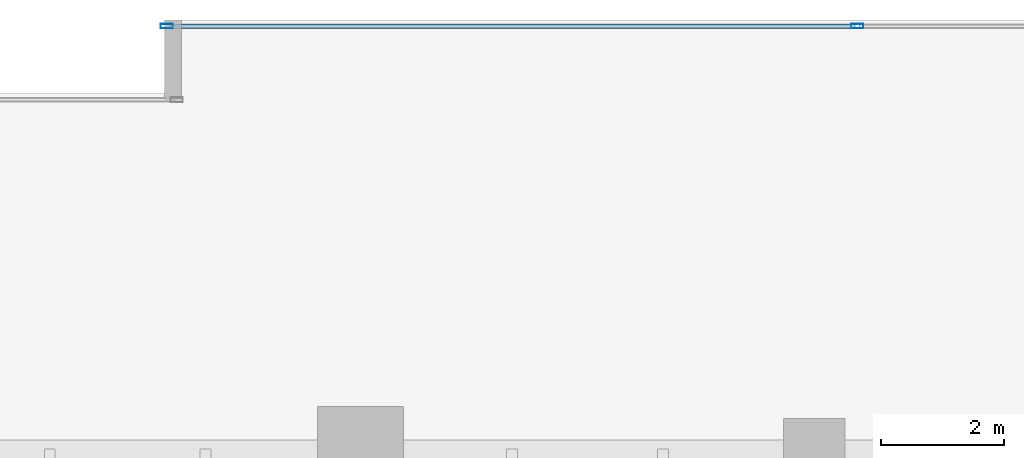
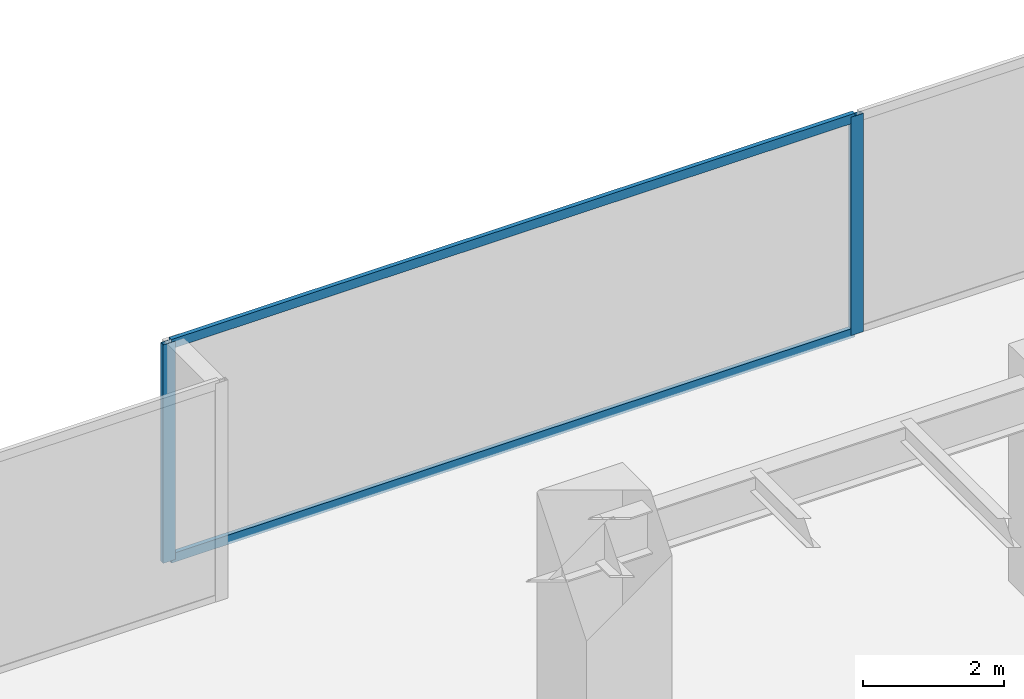
# One storey, part 22 of 35: 4 members, 1 element without a shape of its own.
"""IFC4 building model written with IfcOpenShell, lengths in metres."""

from ifc_helpers import new_model, si_unit, direction, frame, origin, origin_2d, place, context, subcontext, project, spatial, hollow_rectangle, extrude, source, transform, mapped, material, layer, layer_set, material_profile, profile_set, type_object, type_shapes, element, aggregate, save


model = new_model("IFC4")

# Units and contexts
model_context = context("Model", 3, precision=1e-05, world=origin(), true_north=direction((0.0, 1.0)))
body_context = subcontext(model_context, "Body", "Model", "MODEL_VIEW")
ifc_project = project(units=[si_unit("LENGTHUNIT", "METRE"), si_unit("AREAUNIT", "SQUARE_METRE"), si_unit("VOLUMEUNIT", "CUBIC_METRE"), si_unit("PLANEANGLEUNIT", "RADIAN"), si_unit("MASSUNIT", "GRAM", prefix="KILO")], contexts=[model_context])

# Site, building, storey
site_placement = place(None, origin())
site = spatial("IfcSite", under=ifc_project, at=site_placement, CompositionType="ELEMENT")
building_placement = place(site_placement, origin())
building = spatial("IfcBuilding", under=site, at=building_placement, Name="Haelvirn Gate Laboratories", CompositionType="ELEMENT")
storey_placement = place(building_placement, frame((0.0, 0.0, 41.60009765625)))
storey = spatial("IfcBuildingStorey", under=building, at=storey_placement, Name="L10", CompositionType="ELEMENT", Elevation=41.60009765625)

# Curtain wall, members
ifc_material_1 = material(Name="Anodised bronze unitised aluminium & triple low-E glass", Category="aluminium")
ifc_layer = layer(ifc_material_1, 0.18408203125, Name="CW-SYS-2")
ifc_layer_set = layer_set([ifc_layer], Name="Anodised bronze unitised aluminium & triple low-E glass")
curtain_wall_type = type_object("IfcCurtainWallType", Name="CW-SYS-2", PredefinedType="NOTDEFINED", material=ifc_layer_set)
curtain_wall_placement = place(storey_placement, origin())
curtain_wall = element("IfcCurtainWall", 1, at=curtain_wall_placement, inside=storey, type_object=curtain_wall_type, Name="L10 Unitised Curtain Wall CW-L10-P0-E10-1", PredefinedType="NOTDEFINED")
ifc_material_2 = material(Name="Extruded aluminium 6063-T6 (anodised bronze)", Category="aluminium")
ifc_material_profile_1 = material_profile(ifc_material_2, hollow_rectangle(XDim=0.070068359375, YDim=0.159912109375, WallThickness=0.0048828125, at=origin_2d()), Name="CWT-160x70x5")
ifc_profile_set_1 = profile_set([ifc_material_profile_1], Name="Extruded aluminium 6063-T6 (anodised bronze)")
member_type_1 = type_object("IfcMemberType", Name="CWT-T160", PredefinedType="USERDEFINED", material=ifc_profile_set_1)
shared_shape_1 = source(origin(), body_context, "Body", "SweptSolid", [
    extrude(hollow_rectangle(XDim=0.070068359375, YDim=0.159912109375, WallThickness=0.0048828125, at=origin_2d()), origin(), (0.0, 0.0, 1.0), 11.1875),
])
type_shapes(member_type_1, [shared_shape_1])
member_1_placement = place(storey_placement, frame((49.47509765625, 48.5, 0.034912109375), z_axis=(1.0, 0.0, 0.0), x_axis=(0.0, 1.0, 0.0)))
member_1 = element("IfcMember", 2, at=member_1_placement, type_object=member_type_1, Name="CW2 transom 1.1", ObjectType="TRANSOM", PredefinedType="USERDEFINED", context=body_context, shape_type="MappedRepresentation", body=[
    mapped(shared_shape_1, transform((0.0, 0.0, 0.0), scale=1.0)),
])
member_2_placement = place(storey_placement, frame((49.47509765625, 48.5, 3.744873046875), z_axis=(1.0, 0.0, 0.0), x_axis=(0.0, 1.0, 0.0)))
member_2 = element("IfcMember", 3, at=member_2_placement, type_object=member_type_1, Name="CW2 transom 1.2", ObjectType="TRANSOM", PredefinedType="USERDEFINED", context=body_context, shape_type="MappedRepresentation", body=[
    mapped(shared_shape_1, transform((0.0, 0.0, 0.0), scale=1.0)),
])
ifc_material_profile_2 = material_profile(ifc_material_2, hollow_rectangle(XDim=0.074951171875, YDim=0.199951171875, WallThickness=0.0048828125, at=origin_2d()), Name="CWM-200x75x5")
ifc_profile_set_2 = profile_set([ifc_material_profile_2], Name="Extruded aluminium 6063-T6 (anodised bronze)")
member_type_2 = type_object("IfcMemberType", Name="CWM-T200", PredefinedType="MULLION", material=ifc_profile_set_2)
shared_shape_2 = source(origin(), body_context, "Body", "SweptSolid", [
    extrude(hollow_rectangle(XDim=0.074951171875, YDim=0.199951171875, WallThickness=0.0048828125, at=origin_2d()), origin(), (0.0, 0.0, 1.0), 3.77978515625),
])
type_shapes(member_type_2, [shared_shape_2])
member_3_placement = place(storey_placement, frame((49.4375, 48.5, 0.0), z_axis=(0.0, 0.0, 1.0), x_axis=(0.0, 1.0, 0.0)))
member_3 = element("IfcMember", 4, at=member_3_placement, type_object=member_type_2, Name="CW2 mullion 1", PredefinedType="MULLION", context=body_context, shape_type="MappedRepresentation", body=[
    mapped(shared_shape_2, transform((0.0, 0.0, 0.0), scale=1.0)),
])
member_4_placement = place(storey_placement, frame((60.699951171875, 48.5, 0.0), z_axis=(0.0, 0.0, 1.0), x_axis=(0.0, 1.0, 0.0)))
member_4 = element("IfcMember", 5, at=member_4_placement, type_object=member_type_2, Name="CW2 mullion 2", PredefinedType="MULLION", context=body_context, shape_type="MappedRepresentation", body=[
    mapped(shared_shape_2, transform((0.0, 0.0, 0.0), scale=1.0)),
])
aggregate(curtain_wall, [member_3, member_4, member_1, member_2])

save(model, "model.ifc")
